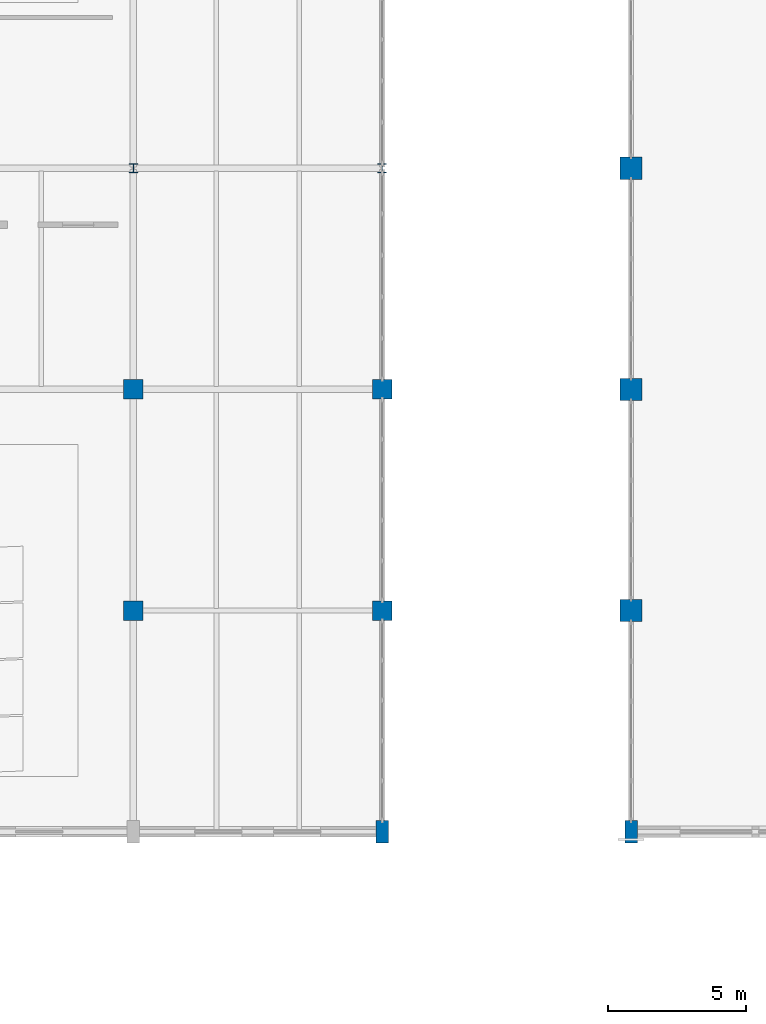
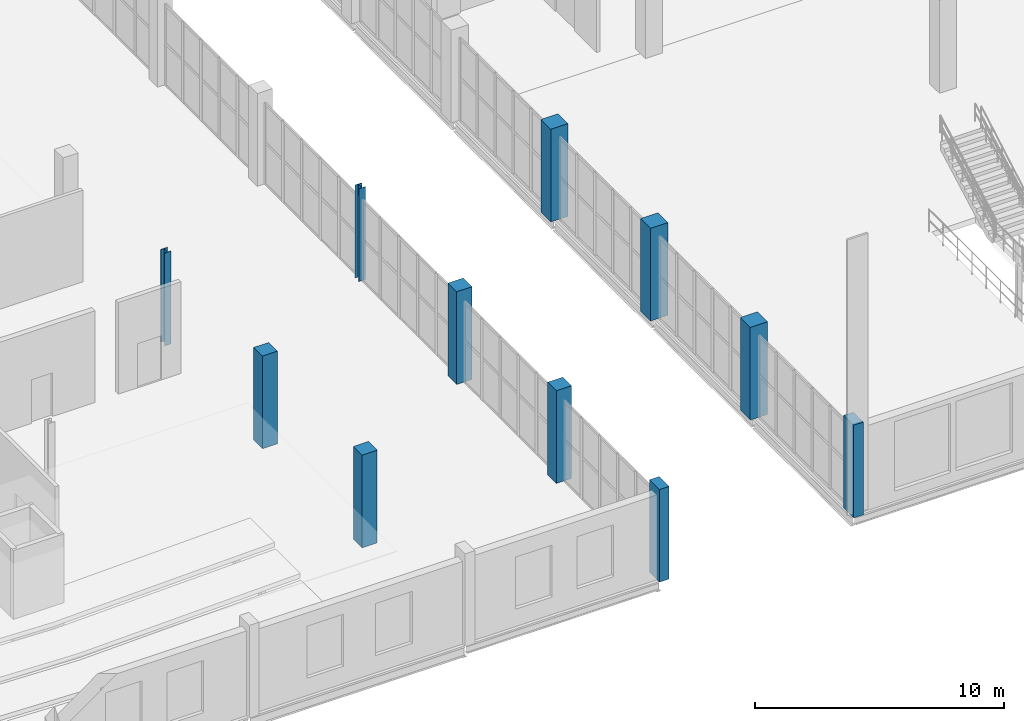
# One storey, part 2 of 93: 11 columns.
"""IFC4 building model written with IfcOpenShell, lengths in metres."""

from ifc_helpers import new_model, si_unit, direction, frame, origin, origin_2d, place, context, subcontext, project, spatial, rectangle, i_section, extrude, material, material_profile, profile_set, type_object, element, save


model = new_model("IFC4")

# Units and contexts
model_context = context("Model", 3, precision=1e-05, world=origin(), true_north=direction((0.0, 1.0)))
body_context = subcontext(model_context, "Body", "Model", "MODEL_VIEW")
ifc_project = project(units=[si_unit("LENGTHUNIT", "METRE"), si_unit("AREAUNIT", "SQUARE_METRE"), si_unit("VOLUMEUNIT", "CUBIC_METRE"), si_unit("PLANEANGLEUNIT", "RADIAN"), si_unit("MASSUNIT", "GRAM", prefix="KILO")], contexts=[model_context])

# Site, building, storey
site_placement = place(None, origin())
site = spatial("IfcSite", under=ifc_project, at=site_placement, CompositionType="ELEMENT")
building_placement = place(site_placement, origin())
building = spatial("IfcBuilding", under=site, at=building_placement, Name="Marnock Terrace Opera House", CompositionType="ELEMENT")
storey_placement = place(building_placement, frame((0.0, 0.0, 5.39990234375)))
storey = spatial("IfcBuildingStorey", under=building, at=storey_placement, Name="L01", CompositionType="ELEMENT", Elevation=5.39990234375)

# Columns
ifc_material_1 = material(Name="Concrete N40 (f'c = 40 MPa)", Category="concrete")
ifc_material_profile_1 = material_profile(ifc_material_1, rectangle(XDim=0.449951171875, YDim=0.800048828125, at=origin_2d()))
ifc_profile_set_1 = profile_set([ifc_material_profile_1], Name="Concrete N40 (f'c = 40 MPa)")
column_type_1 = type_object("IfcColumnType", Name="COL-PIL-800", PredefinedType="PILASTER", material=ifc_profile_set_1)
for number, where, z_axis, x_axis, name in (
    (1, (46.0, 8.0, 0.0), (0.0, 0.0, 1.0), (1.0, 0.0, 0.0), "L01 column at (46.0, 8.0)"),
    (2, (55.0, 8.0, 0.0), (0.0, 0.0, 1.0), (1.0, 0.0, 0.0), "L01 column at (55.0, 8.0)"),
):
    element("IfcColumn", number, at=place(storey_placement, frame(where, z_axis=z_axis, x_axis=x_axis)), inside=storey, type_object=column_type_1, Name=name, PredefinedType="PILASTER", context=body_context, shape_type="SweptSolid", body=[
        extrude(rectangle(XDim=0.449951171875, YDim=0.800048828125, at=origin_2d()), origin(), (0.0, 0.0, 1.0), 4.5400390625),
    ])
ifc_material_profile_2 = material_profile(ifc_material_1, rectangle(XDim=0.699951171875, YDim=0.699951171875, at=origin_2d()))
ifc_profile_set_2 = profile_set([ifc_material_profile_2], Name="Concrete N40 (f'c = 40 MPa)")
column_type_2 = type_object("IfcColumnType", Name="COL-RC700", PredefinedType="COLUMN", material=ifc_profile_set_2)
for number, where, z_axis, x_axis, name in (
    (3, (37.0, 16.0, 0.0), (0.0, 0.0, 1.0), (1.0, 0.0, 0.0), "L01 column at (37.0, 16.0)"),
    (4, (37.0, 24.0, 0.0), (0.0, 0.0, 1.0), (1.0, 0.0, 0.0), "L01 column at (37.0, 24.0)"),
    (5, (46.0, 16.0, 0.0), (0.0, 0.0, 1.0), (1.0, 0.0, 0.0), "L01 column at (46.0, 16.0)"),
    (6, (46.0, 24.0, 0.0), (0.0, 0.0, 1.0), (1.0, 0.0, 0.0), "L01 column at (46.0, 24.0)"),
):
    element("IfcColumn", number, at=place(storey_placement, frame(where, z_axis=z_axis, x_axis=x_axis)), inside=storey, type_object=column_type_2, Name=name, PredefinedType="COLUMN", context=body_context, shape_type="SweptSolid", body=[
        extrude(rectangle(XDim=0.699951171875, YDim=0.699951171875, at=origin_2d()), origin(), (0.0, 0.0, 1.0), 4.5400390625),
    ])
ifc_material_2 = material(Name="Concrete N50 (f'c = 50 MPa)", Category="concrete")
ifc_material_profile_3 = material_profile(ifc_material_2, rectangle(XDim=0.800048828125, YDim=0.800048828125, at=origin_2d()))
ifc_profile_set_3 = profile_set([ifc_material_profile_3], Name="Concrete N50 (f'c = 50 MPa)")
column_type_3 = type_object("IfcColumnType", Name="COL-RC800", PredefinedType="COLUMN", material=ifc_profile_set_3)
for number, where, z_axis, x_axis, name in (
    (7, (55.0, 16.0, 0.0), (0.0, 0.0, 1.0), (1.0, 0.0, 0.0), "L01 column at (55.0, 16.0)"),
    (8, (55.0, 24.0, 0.0), (0.0, 0.0, 1.0), (1.0, 0.0, 0.0), "L01 column at (55.0, 24.0)"),
    (9, (55.0, 32.0, 0.0), (0.0, 0.0, 1.0), (1.0, 0.0, 0.0), "L01 column at (55.0, 32.0)"),
):
    element("IfcColumn", number, at=place(storey_placement, frame(where, z_axis=z_axis, x_axis=x_axis)), inside=storey, type_object=column_type_3, Name=name, PredefinedType="COLUMN", context=body_context, shape_type="SweptSolid", body=[
        extrude(rectangle(XDim=0.800048828125, YDim=0.800048828125, at=origin_2d()), origin(), (0.0, 0.0, 1.0), 4.5400390625),
    ])
ifc_material_3 = material(Name="Steel Grade 350 (AS/NZS 3679.1)", Category="steel")
ifc_material_profile_4 = material_profile(ifc_material_3, i_section(OverallWidth=0.30908203125, OverallDepth=0.320556640625, WebThickness=0.013916015625, FlangeThickness=0.021728515625, FilletRadius=0.0166015625, at=origin_2d()))
ifc_profile_set_4 = profile_set([ifc_material_profile_4], Name="Steel Grade 350 (AS/NZS 3679.1)")
column_type_4 = type_object("IfcColumnType", Name="COL-UC310B", PredefinedType="COLUMN", material=ifc_profile_set_4)
for number, where, z_axis, x_axis, name in (
    (10, (37.0, 32.0, 0.0), (0.0, 0.0, 1.0), (1.0, 0.0, 0.0), "L01 column at (37.0, 32.0)"),
    (11, (46.0, 32.0, 0.0), (0.0, 0.0, 1.0), (1.0, 0.0, 0.0), "L01 column at (46.0, 32.0)"),
):
    element("IfcColumn", number, at=place(storey_placement, frame(where, z_axis=z_axis, x_axis=x_axis)), inside=storey, type_object=column_type_4, Name=name, PredefinedType="COLUMN", context=body_context, shape_type="SweptSolid", body=[
        extrude(i_section(OverallWidth=0.30908203125, OverallDepth=0.320556640625, WebThickness=0.013916015625, FlangeThickness=0.021728515625, FilletRadius=0.0166015625, at=origin_2d()), origin(), (0.0, 0.0, 1.0), 4.5400390625),
    ])

save(model, "model.ifc")
